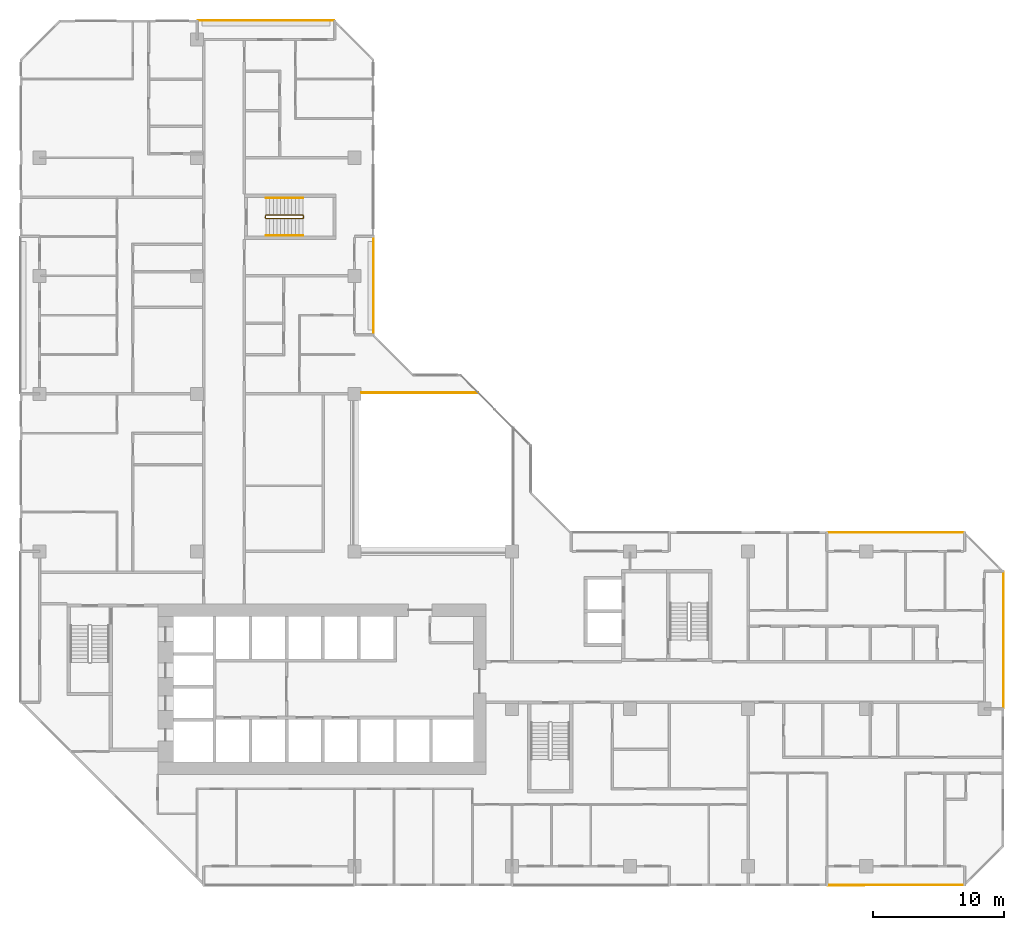
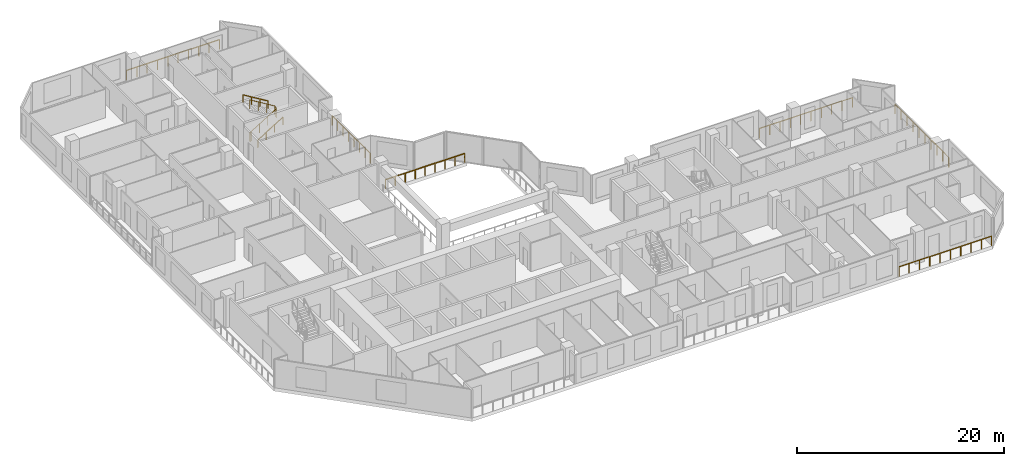
# One storey, part 16 of 16: 9 railings.
"""IFC4 building model written with IfcOpenShell, lengths in metres."""

from ifc_helpers import new_model, si_unit, direction, frame, origin, origin_2d, place, context, subcontext, project, spatial, rectangle, extrude, material, type_object, element, save


model = new_model("IFC4")

# Units and contexts
model_context = context("Model", 3, precision=1e-05, world=origin(), true_north=direction((0.0, 1.0)))
body_context = subcontext(model_context, "Body", "Model", "MODEL_VIEW")
ifc_project = project(units=[si_unit("LENGTHUNIT", "METRE"), si_unit("AREAUNIT", "SQUARE_METRE"), si_unit("VOLUMEUNIT", "CUBIC_METRE"), si_unit("PLANEANGLEUNIT", "RADIAN"), si_unit("MASSUNIT", "GRAM", prefix="KILO")], contexts=[model_context])

# Site, building, storey
site_placement = place(None, origin())
site = spatial("IfcSite", under=ifc_project, at=site_placement, CompositionType="ELEMENT")
building_placement = place(site_placement, origin())
building = spatial("IfcBuilding", under=site, at=building_placement, Name="Chenar Terraces", CompositionType="ELEMENT")
storey_placement = place(building_placement, frame((0.0, 0.0, 103.14990234375)))
storey = spatial("IfcBuildingStorey", under=building, at=storey_placement, Name="L23", CompositionType="ELEMENT", Elevation=103.14990234375)

# Railings
ifc_material_1 = material(Name="Powder-coated steel", Category="steel")
railing_type_1 = type_object("IfcRailingType", Name="Guard 1100 steel rail with glass infill", PredefinedType="GUARDRAIL", material=ifc_material_1)
railing_1_placement = place(storey_placement, frame((24.550048828125, 36.10009765625, 0.0)))
element("IfcRailing", 1, at=railing_1_placement, inside=storey, type_object=railing_type_1, Name="Guard L23-2", PredefinedType="GUARDRAIL", context=body_context, shape_type="SweptSolid", body=[
    extrude(rectangle(XDim=0.06005859375, YDim=0.06005859375, at=origin_2d()), frame((0.0, 0.0, 1.070068359375), z_axis=(1.0, 0.0, 0.0), x_axis=(0.0, 1.0, 0.0)), (0.0, 0.0, 1.0), 8.849853515625),
    extrude(rectangle(XDim=0.050048828125, YDim=0.050048828125, at=origin_2d()), origin(), (0.0, 0.0, 1.0), 1.0400390625),
    extrude(rectangle(XDim=0.050048828125, YDim=0.050048828125, at=origin_2d()), frame((1.106201171875, 0.0, 0.0)), (0.0, 0.0, 1.0), 1.0400390625),
    extrude(rectangle(XDim=0.050048828125, YDim=0.050048828125, at=origin_2d()), frame((2.21240234375, 0.0, 0.0)), (0.0, 0.0, 1.0), 1.0400390625),
    extrude(rectangle(XDim=0.050048828125, YDim=0.050048828125, at=origin_2d()), frame((3.318603515625, 0.0, 0.0)), (0.0, 0.0, 1.0), 1.0400390625),
    extrude(rectangle(XDim=0.050048828125, YDim=0.050048828125, at=origin_2d()), frame((4.4248046875, 0.0, 0.0)), (0.0, 0.0, 1.0), 1.0400390625),
    extrude(rectangle(XDim=0.050048828125, YDim=0.050048828125, at=origin_2d()), frame((5.53125, 0.0, 0.0)), (0.0, 0.0, 1.0), 1.0400390625),
    extrude(rectangle(XDim=0.050048828125, YDim=0.050048828125, at=origin_2d()), frame((6.637451171875, 0.0, 0.0)), (0.0, 0.0, 1.0), 1.0400390625),
    extrude(rectangle(XDim=0.050048828125, YDim=0.050048828125, at=origin_2d()), frame((7.74365234375, 0.0, 0.0)), (0.0, 0.0, 1.0), 1.0400390625),
    extrude(rectangle(XDim=0.050048828125, YDim=0.050048828125, at=origin_2d()), frame((8.849853515625, 0.0, 0.0)), (0.0, 0.0, 1.0), 1.0400390625),
])
ifc_material_2 = material(Name="Stainless steel and glass", Category="steel")
railing_type_2 = type_object("IfcRailingType", Name="Loggia guard 1150", PredefinedType="GUARDRAIL", material=ifc_material_2)
railing_2_placement = place(storey_placement, frame((25.449951171875, 40.574951171875, 0.0)))
element("IfcRailing", 2, at=railing_2_placement, inside=storey, type_object=railing_type_2, Name="Loggia guard", PredefinedType="GUARDRAIL", context=body_context, shape_type="SweptSolid", body=[
    extrude(rectangle(XDim=0.048095703125, YDim=0.048095703125, at=origin_2d()), frame((0.0, 0.0, 1.1259765625), z_axis=(0.0, 1.0, 0.0), x_axis=(-1.0, 0.0, 0.0)), (0.0, 0.0, 1.0), 7.35009765625),
    extrude(rectangle(XDim=0.0419921875, YDim=0.0419921875, at=origin_2d()), origin(), (0.0, 0.0, 1.0), 1.101806640625),
    extrude(rectangle(XDim=0.0419921875, YDim=0.0419921875, at=origin_2d()), frame((0.0, 1.050048828125, 0.0)), (0.0, 0.0, 1.0), 1.101806640625),
    extrude(rectangle(XDim=0.0419921875, YDim=0.0419921875, at=origin_2d()), frame((0.0, 2.10009765625, 0.0)), (0.0, 0.0, 1.0), 1.101806640625),
    extrude(rectangle(XDim=0.0419921875, YDim=0.0419921875, at=origin_2d()), frame((0.0, 3.150146484375, 0.0)), (0.0, 0.0, 1.0), 1.101806640625),
    extrude(rectangle(XDim=0.0419921875, YDim=0.0419921875, at=origin_2d()), frame((0.0, 4.199951171875, 0.0)), (0.0, 0.0, 1.0), 1.101806640625),
    extrude(rectangle(XDim=0.0419921875, YDim=0.0419921875, at=origin_2d()), frame((0.0, 5.25, 0.0)), (0.0, 0.0, 1.0), 1.101806640625),
    extrude(rectangle(XDim=0.0419921875, YDim=0.0419921875, at=origin_2d()), frame((0.0, 6.300048828125, 0.0)), (0.0, 0.0, 1.0), 1.101806640625),
    extrude(rectangle(XDim=0.0419921875, YDim=0.0419921875, at=origin_2d()), frame((0.0, 7.35009765625, 0.0)), (0.0, 0.0, 1.0), 1.101806640625),
])
railing_3_placement = place(storey_placement, frame((73.449951171875, 12.074951171875, 0.0)))
element("IfcRailing", 3, at=railing_3_placement, inside=storey, type_object=railing_type_2, Name="Loggia guard", PredefinedType="GUARDRAIL", context=body_context, shape_type="SweptSolid", body=[
    extrude(rectangle(XDim=0.048095703125, YDim=0.048095703125, at=origin_2d()), frame((0.0, 0.0, 1.1259765625), z_axis=(0.0, 1.0, 0.0), x_axis=(-1.0, 0.0, 0.0)), (0.0, 0.0, 1.0), 10.35009765625),
    extrude(rectangle(XDim=0.0419921875, YDim=0.0419921875, at=origin_2d()), origin(), (0.0, 0.0, 1.0), 1.101806640625),
    extrude(rectangle(XDim=0.0419921875, YDim=0.0419921875, at=origin_2d()), frame((0.0, 1.14990234375, 0.0)), (0.0, 0.0, 1.0), 1.101806640625),
    extrude(rectangle(XDim=0.0419921875, YDim=0.0419921875, at=origin_2d()), frame((0.0, 2.300048828125, 0.0)), (0.0, 0.0, 1.0), 1.101806640625),
    extrude(rectangle(XDim=0.0419921875, YDim=0.0419921875, at=origin_2d()), frame((0.0, 3.449951171875, 0.0)), (0.0, 0.0, 1.0), 1.101806640625),
    extrude(rectangle(XDim=0.0419921875, YDim=0.0419921875, at=origin_2d()), frame((0.0, 4.60009765625, 0.0)), (0.0, 0.0, 1.0), 1.101806640625),
    extrude(rectangle(XDim=0.0419921875, YDim=0.0419921875, at=origin_2d()), frame((0.0, 5.75, 0.0)), (0.0, 0.0, 1.0), 1.101806640625),
    extrude(rectangle(XDim=0.0419921875, YDim=0.0419921875, at=origin_2d()), frame((0.0, 6.900146484375, 0.0)), (0.0, 0.0, 1.0), 1.101806640625),
    extrude(rectangle(XDim=0.0419921875, YDim=0.0419921875, at=origin_2d()), frame((0.0, 8.050048828125, 0.0)), (0.0, 0.0, 1.0), 1.101806640625),
    extrude(rectangle(XDim=0.0419921875, YDim=0.0419921875, at=origin_2d()), frame((0.0, 9.2001953125, 0.0)), (0.0, 0.0, 1.0), 1.101806640625),
    extrude(rectangle(XDim=0.0419921875, YDim=0.0419921875, at=origin_2d()), frame((0.0, 10.35009765625, 0.0)), (0.0, 0.0, 1.0), 1.101806640625),
])
for number, where, name in (
    (4, (70.425048828125, 25.449951171875, 0.0), "Loggia guard"),
    (5, (22.425048828125, 64.449951171875, 0.0), "Loggia guard"),
):
    element("IfcRailing", number, at=place(storey_placement, frame(where)), inside=storey, type_object=railing_type_2, Name=name, PredefinedType="GUARDRAIL", context=body_context, shape_type="SweptSolid", body=[
        extrude(rectangle(XDim=0.048095703125, YDim=0.048095703125, at=origin_2d()), frame((0.0, 0.0, 1.1259765625), z_axis=(-1.0, 0.0, 0.0), x_axis=(0.0, -1.0, 0.0)), (0.0, 0.0, 1.0), 10.35009765625),
        extrude(rectangle(XDim=0.0419921875, YDim=0.0419921875, at=origin_2d()), origin(), (0.0, 0.0, 1.0), 1.101806640625),
        extrude(rectangle(XDim=0.0419921875, YDim=0.0419921875, at=origin_2d()), frame((-1.14990234375, 0.0, 0.0)), (0.0, 0.0, 1.0), 1.101806640625),
        extrude(rectangle(XDim=0.0419921875, YDim=0.0419921875, at=origin_2d()), frame((-2.300048828125, 0.0, 0.0)), (0.0, 0.0, 1.0), 1.101806640625),
        extrude(rectangle(XDim=0.0419921875, YDim=0.0419921875, at=origin_2d()), frame((-3.449951171875, 0.0, 0.0)), (0.0, 0.0, 1.0), 1.101806640625),
        extrude(rectangle(XDim=0.0419921875, YDim=0.0419921875, at=origin_2d()), frame((-4.60009765625, 0.0, 0.0)), (0.0, 0.0, 1.0), 1.101806640625),
        extrude(rectangle(XDim=0.0419921875, YDim=0.0419921875, at=origin_2d()), frame((-5.75, 0.0, 0.0)), (0.0, 0.0, 1.0), 1.101806640625),
        extrude(rectangle(XDim=0.0419921875, YDim=0.0419921875, at=origin_2d()), frame((-6.900146484375, 0.0, 0.0)), (0.0, 0.0, 1.0), 1.101806640625),
        extrude(rectangle(XDim=0.0419921875, YDim=0.0419921875, at=origin_2d()), frame((-8.050048828125, 0.0, 0.0)), (0.0, 0.0, 1.0), 1.101806640625),
        extrude(rectangle(XDim=0.0419921875, YDim=0.0419921875, at=origin_2d()), frame((-9.2001953125, 0.0, 0.0)), (0.0, 0.0, 1.0), 1.101806640625),
        extrude(rectangle(XDim=0.0419921875, YDim=0.0419921875, at=origin_2d()), frame((-10.35009765625, 0.0, 0.0)), (0.0, 0.0, 1.0), 1.101806640625),
    ])
railing_4_placement = place(storey_placement, frame((60.074951171875, -1.449951171875, 0.0)))
element("IfcRailing", 6, at=railing_4_placement, inside=storey, type_object=railing_type_2, Name="Loggia guard", PredefinedType="GUARDRAIL", context=body_context, shape_type="SweptSolid", body=[
    extrude(rectangle(XDim=0.048095703125, YDim=0.048095703125, at=origin_2d()), frame((0.0, 0.0, 1.1259765625), z_axis=(1.0, 0.0, 0.0), x_axis=(0.0, 1.0, 0.0)), (0.0, 0.0, 1.0), 10.35009765625),
    extrude(rectangle(XDim=0.0419921875, YDim=0.0419921875, at=origin_2d()), origin(), (0.0, 0.0, 1.0), 1.101806640625),
    extrude(rectangle(XDim=0.0419921875, YDim=0.0419921875, at=origin_2d()), frame((1.14990234375, 0.0, 0.0)), (0.0, 0.0, 1.0), 1.101806640625),
    extrude(rectangle(XDim=0.0419921875, YDim=0.0419921875, at=origin_2d()), frame((2.300048828125, 0.0, 0.0)), (0.0, 0.0, 1.0), 1.101806640625),
    extrude(rectangle(XDim=0.0419921875, YDim=0.0419921875, at=origin_2d()), frame((3.449951171875, 0.0, 0.0)), (0.0, 0.0, 1.0), 1.101806640625),
    extrude(rectangle(XDim=0.0419921875, YDim=0.0419921875, at=origin_2d()), frame((4.60009765625, 0.0, 0.0)), (0.0, 0.0, 1.0), 1.101806640625),
    extrude(rectangle(XDim=0.0419921875, YDim=0.0419921875, at=origin_2d()), frame((5.75, 0.0, 0.0)), (0.0, 0.0, 1.0), 1.101806640625),
    extrude(rectangle(XDim=0.0419921875, YDim=0.0419921875, at=origin_2d()), frame((6.900146484375, 0.0, 0.0)), (0.0, 0.0, 1.0), 1.101806640625),
    extrude(rectangle(XDim=0.0419921875, YDim=0.0419921875, at=origin_2d()), frame((8.050048828125, 0.0, 0.0)), (0.0, 0.0, 1.0), 1.101806640625),
    extrude(rectangle(XDim=0.0419921875, YDim=0.0419921875, at=origin_2d()), frame((9.2001953125, 0.0, 0.0)), (0.0, 0.0, 1.0), 1.101806640625),
    extrude(rectangle(XDim=0.0419921875, YDim=0.0419921875, at=origin_2d()), frame((10.35009765625, 0.0, 0.0)), (0.0, 0.0, 1.0), 1.101806640625),
])
ifc_material_3 = material(Name="Powder-coated steel", Category="steel")
railing_type_3 = type_object("IfcRailingType", Name="Stair guard 1100", PredefinedType="GUARDRAIL", material=ifc_material_3)
railing_5_placement = place(storey_placement, frame((17.25, 49.625, 3.75)))
element("IfcRailing", 7, at=railing_5_placement, inside=storey, type_object=railing_type_3, Name="L23 ST4 stair guard 1", PredefinedType="GUARDRAIL", context=body_context, shape_type="SweptSolid", body=[
    extrude(rectangle(XDim=0.048095703125, YDim=0.048095703125, at=origin_2d()), frame((0.0, 0.0, 1.076171875), z_axis=(0.854202870247, 0.0, -0.519939858505), x_axis=(0.0, 1.0, 0.0)), (0.0, 0.0, 1.0), 3.278076171875),
    extrude(rectangle(XDim=0.048095703125, YDim=0.048095703125, at=origin_2d()), frame((2.800048828125, 0.0, -0.62841796875), z_axis=(0.270899902878, -0.270899902878, -0.923702595667), x_axis=(0.707106781187, 0.707106781187, 0.0)), (0.0, 0.0, 1.0), 0.184814453125),
    extrude(rectangle(XDim=0.048095703125, YDim=0.048095703125, at=origin_2d()), frame((2.85009765625, -0.050048828125, -0.798828125), z_axis=(0.0, -1.0, 0.0), x_axis=(1.0, 0.0, 0.0)), (0.0, 0.0, 1.0), 0.14990234375),
    extrude(rectangle(XDim=0.048095703125, YDim=0.048095703125, at=origin_2d()), frame((2.85009765625, -0.199951171875, -0.798828125), z_axis=(-0.707106781187, -0.707106781187, 0.0), x_axis=(0.707106781187, -0.707106781187, 0.0)), (0.0, 0.0, 1.0), 0.07080078125),
    extrude(rectangle(XDim=0.048095703125, YDim=0.048095703125, at=origin_2d()), frame((2.800048828125, -0.25, -0.798828125), z_axis=(-0.854202870247, 0.0, -0.519939858505), x_axis=(0.0, -1.0, 0.0)), (0.0, 0.0, 1.0), 3.278076171875),
    extrude(rectangle(XDim=0.048095703125, YDim=0.048095703125, at=origin_2d()), frame((0.0, -0.25, -2.50341796875), z_axis=(-0.270899902878, 0.270899902878, -0.923702595667), x_axis=(-0.707106781187, -0.707106781187, 0.0)), (0.0, 0.0, 1.0), 0.184814453125),
    extrude(rectangle(XDim=0.048095703125, YDim=0.048095703125, at=origin_2d()), frame((-0.050048828125, -0.199951171875, -2.673828125), z_axis=(0.0, 1.0, 0.0), x_axis=(-1.0, 0.0, 0.0)), (0.0, 0.0, 1.0), 0.14990234375),
    extrude(rectangle(XDim=0.0419921875, YDim=0.0419921875, at=origin_2d()), origin(), (0.0, 0.0, 1.0), 1.052001953125),
    extrude(rectangle(XDim=0.0419921875, YDim=0.0419921875, at=origin_2d()), frame((0.933349609375, 0.0, -0.568115234375)), (0.0, 0.0, 1.0), 1.052001953125),
    extrude(rectangle(XDim=0.0419921875, YDim=0.0419921875, at=origin_2d()), frame((1.86669921875, 0.0, -1.13623046875)), (0.0, 0.0, 1.0), 1.052001953125),
    extrude(rectangle(XDim=0.0419921875, YDim=0.0419921875, at=origin_2d()), frame((2.800048828125, 0.0, -1.704345703125)), (0.0, 0.0, 1.0), 1.052001953125),
    extrude(rectangle(XDim=0.0419921875, YDim=0.0419921875, at=origin_2d()), frame((2.85009765625, -0.050048828125, -1.875)), (0.0, 0.0, 1.0), 1.052001953125),
    extrude(rectangle(XDim=0.0419921875, YDim=0.0419921875, at=origin_2d()), frame((2.85009765625, -0.199951171875, -1.875)), (0.0, 0.0, 1.0), 1.052001953125),
    extrude(rectangle(XDim=0.0419921875, YDim=0.0419921875, at=origin_2d()), frame((2.800048828125, -0.25, -1.875)), (0.0, 0.0, 1.0), 1.052001953125),
    extrude(rectangle(XDim=0.0419921875, YDim=0.0419921875, at=origin_2d()), frame((1.86669921875, -0.25, -2.443115234375)), (0.0, 0.0, 1.0), 1.052001953125),
    extrude(rectangle(XDim=0.0419921875, YDim=0.0419921875, at=origin_2d()), frame((0.933349609375, -0.25, -3.01123046875)), (0.0, 0.0, 1.0), 1.052001953125),
    extrude(rectangle(XDim=0.0419921875, YDim=0.0419921875, at=origin_2d()), frame((0.0, -0.25, -3.579345703125)), (0.0, 0.0, 1.0), 1.052001953125),
    extrude(rectangle(XDim=0.0419921875, YDim=0.0419921875, at=origin_2d()), frame((-0.050048828125, -0.199951171875, -3.75)), (0.0, 0.0, 1.0), 1.052001953125),
    extrude(rectangle(XDim=0.0419921875, YDim=0.0419921875, at=origin_2d()), frame((-0.050048828125, -0.050048828125, -3.75)), (0.0, 0.0, 1.0), 1.052001953125),
])
ifc_material_4 = material(Name="Powder-coated steel", Category="steel")
railing_type_4 = type_object("IfcRailingType", Name="Stair handrail 900", PredefinedType="HANDRAIL", material=ifc_material_4)
railing_6_placement = place(storey_placement, frame((17.25, 48.074951171875, 0.170654296875)))
element("IfcRailing", 8, at=railing_6_placement, inside=storey, type_object=railing_type_4, Name="L23 ST4 stair handrail 1", PredefinedType="HANDRAIL", context=body_context, shape_type="SweptSolid", body=[
    extrude(rectangle(XDim=0.048095703125, YDim=0.048095703125, at=origin_2d()), frame((0.0, 0.0, 0.8759765625), z_axis=(0.854202870247, 0.0, 0.519939858505), x_axis=(0.0, 1.0, 0.0)), (0.0, 0.0, 1.0), 3.278076171875),
    extrude(rectangle(XDim=0.0419921875, YDim=0.0419921875, at=origin_2d()), origin(), (0.0, 0.0, 1.0), 0.851806640625),
    extrude(rectangle(XDim=0.0419921875, YDim=0.0419921875, at=origin_2d()), frame((0.933349609375, 0.0, 0.568115234375)), (0.0, 0.0, 1.0), 0.851806640625),
    extrude(rectangle(XDim=0.0419921875, YDim=0.0419921875, at=origin_2d()), frame((1.86669921875, 0.0, 1.13623046875)), (0.0, 0.0, 1.0), 0.851806640625),
    extrude(rectangle(XDim=0.0419921875, YDim=0.0419921875, at=origin_2d()), frame((2.800048828125, 0.0, 1.704345703125)), (0.0, 0.0, 1.0), 0.851806640625),
])
railing_7_placement = place(storey_placement, frame((20.050048828125, 50.925048828125, 2.045654296875)))
element("IfcRailing", 9, at=railing_7_placement, inside=storey, type_object=railing_type_4, Name="L23 ST4 stair handrail 2", PredefinedType="HANDRAIL", context=body_context, shape_type="SweptSolid", body=[
    extrude(rectangle(XDim=0.048095703125, YDim=0.048095703125, at=origin_2d()), frame((0.0, 0.0, 0.8759765625), z_axis=(-0.854202870247, 0.0, 0.519939858505), x_axis=(0.0, -1.0, 0.0)), (0.0, 0.0, 1.0), 3.278076171875),
    extrude(rectangle(XDim=0.0419921875, YDim=0.0419921875, at=origin_2d()), origin(), (0.0, 0.0, 1.0), 0.851806640625),
    extrude(rectangle(XDim=0.0419921875, YDim=0.0419921875, at=origin_2d()), frame((-0.933349609375, 0.0, 0.568115234375)), (0.0, 0.0, 1.0), 0.851806640625),
    extrude(rectangle(XDim=0.0419921875, YDim=0.0419921875, at=origin_2d()), frame((-1.86669921875, 0.0, 1.13623046875)), (0.0, 0.0, 1.0), 0.851806640625),
    extrude(rectangle(XDim=0.0419921875, YDim=0.0419921875, at=origin_2d()), frame((-2.800048828125, 0.0, 1.704345703125)), (0.0, 0.0, 1.0), 0.851806640625),
])

save(model, "model.ifc")
